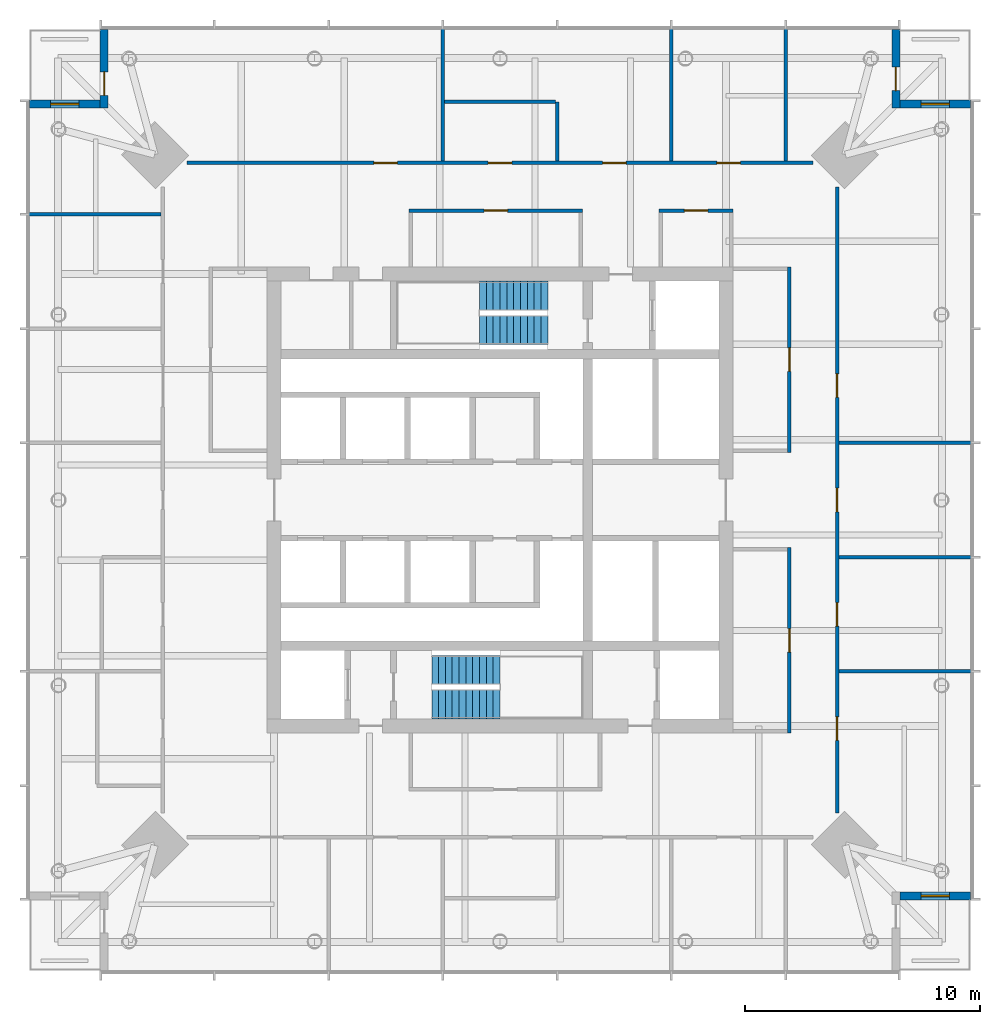
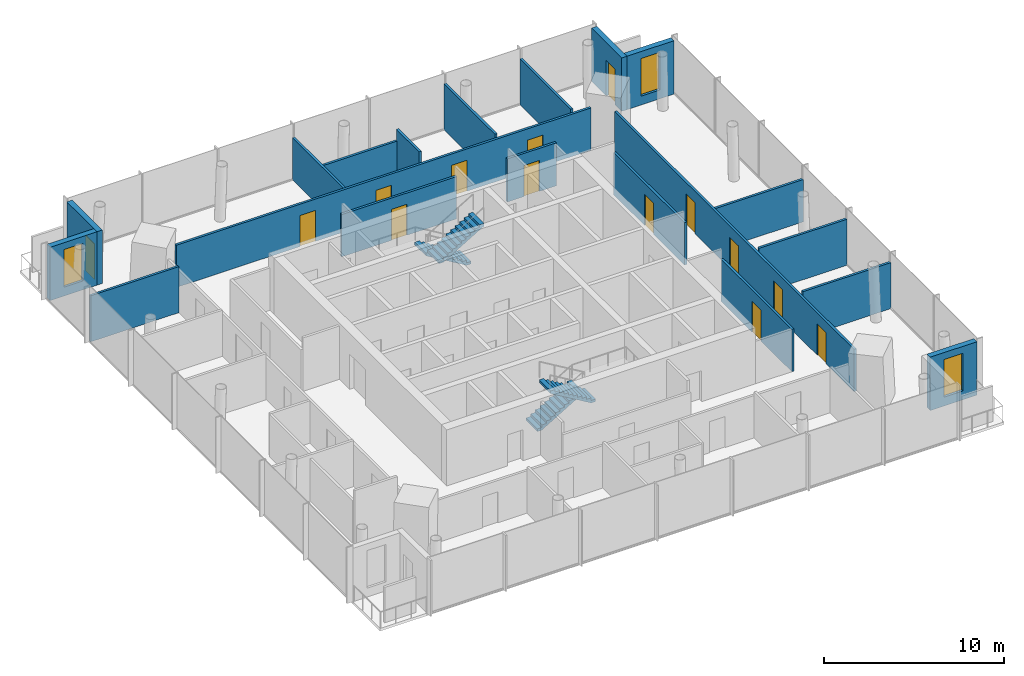
# One storey, part 6 of 7: 20 walls, 14 doors, 4 stair flights, 3 windows, 17 openings, 2 elements without a shape of their own.
"""IFC4 building model written with IfcOpenShell, lengths in metres."""

from ifc_helpers import new_model, si_unit, direction, frame, frame_2d, origin, place, context, subcontext, project, spatial, polyline, rectangle, outline, extrude, material, layer, layer_set, type_object, element, fill, aggregate, save


model = new_model("IFC4")

# Units and contexts
model_context = context("Model", 3, precision=1e-05, world=origin(), true_north=direction((0.0, 1.0)))
body_context = subcontext(model_context, "Body", "Model", "MODEL_VIEW")
ifc_project = project(units=[si_unit("LENGTHUNIT", "METRE"), si_unit("AREAUNIT", "SQUARE_METRE"), si_unit("VOLUMEUNIT", "CUBIC_METRE"), si_unit("PLANEANGLEUNIT", "RADIAN"), si_unit("MASSUNIT", "GRAM", prefix="KILO")], contexts=[model_context])

# Site, building, storey
site_placement = place(None, origin())
site = spatial("IfcSite", under=ifc_project, at=site_placement, CompositionType="ELEMENT")
building_placement = place(site_placement, origin())
building = spatial("IfcBuilding", under=site, at=building_placement, Name="Ostroluk Exchange", CompositionType="ELEMENT")
storey_placement = place(building_placement, frame((0.0, 0.0, 184.39990234375)))
storey = spatial("IfcBuildingStorey", under=building, at=storey_placement, Name="L47", CompositionType="ELEMENT", Elevation=184.39990234375)

# Wall, opening, window
ifc_material_1 = material(Name="Limestone", Category="masonry")
ifc_layer_1 = layer(ifc_material_1, 0.35009765625)
ifc_layer_set_1 = layer_set([ifc_layer_1], Name="Limestone facade wall 350")
wall_type_1 = type_object("IfcWallType", Name="Limestone facade wall 350", PredefinedType="SOLIDWALL", material=ifc_layer_set_1)
wall_1_placement = place(storey_placement, frame((62.0, 29.175048828125, 0.0), z_axis=(0.0, 0.0, 1.0), x_axis=(1.0, 0.0, 0.0)))
wall_1 = element("IfcWall", 1, at=wall_1_placement, inside=storey, type_object=wall_type_1, Name="Office tower SE corner wall L47 b", PredefinedType="SOLIDWALL", context=body_context, shape_type="SweptSolid", body=[
    extrude(rectangle(XDim=3.0, YDim=0.35009765625, at=frame_2d((1.5, 0.0))), origin(), (0.0, 0.0, 1.0), 3.6201171875),
])
opening_1_placement = place(wall_1_placement, frame((0.89990234375, 0.0, 0.60009765625)))
opening_1 = element("IfcOpeningElement", 2, at=opening_1_placement, cuts=wall_1, Name="Opening WN-L1", PredefinedType="OPENING", context=body_context, shape_type="SweptSolid", body=[
    extrude(rectangle(XDim=1.199951171875, YDim=2.550048828125, at=frame_2d((0.60009765625, 1.27490234375))), frame((0.0, 0.18505859375, 0.0), z_axis=(0.0, -1.0, 0.0), x_axis=(1.0, 0.0, 0.0)), (0.0, 0.0, 1.0), 0.3701171875),
])
ifc_material_2 = material(Name="Laminated clear glass", Category="glass")
window_type = type_object("IfcWindowType", Name="Lancet window 1200 x 2550", PartitioningType="SINGLE_PANEL", PredefinedType="WINDOW", material=ifc_material_2)
window_1_placement = place(opening_1_placement, origin())
window_1 = element("IfcWindow", 3, at=window_1_placement, inside=storey, type_object=window_type, Name="Office tower SE lancet window L47", OverallHeight=2.550048828125, OverallWidth=1.199951171875, PartitioningType="SINGLE_PANEL", PredefinedType="WINDOW", context=body_context, shape_type="SweptSolid", body=[
    extrude(rectangle(XDim=1.199951171875, YDim=2.550048828125, at=frame_2d((0.60009765625, 1.27490234375))), frame((0.0, 0.030029296875, 0.0), z_axis=(0.0, -1.0, 0.0), x_axis=(1.0, 0.0, 0.0)), (0.0, 0.0, 1.0), 0.06005859375),
])
fill(opening_1, window_1)

# Wall, opening, door
wall_2_placement = place(storey_placement, frame((61.824951171875, 66.0, 0.0), z_axis=(0.0, 0.0, 1.0), x_axis=(0.0, -1.0, 0.0)))
wall_2 = element("IfcWall", 4, at=wall_2_placement, inside=storey, type_object=wall_type_1, Name="Office tower NE corner wall L47 a", PredefinedType="SOLIDWALL", context=body_context, shape_type="SweptSolid", body=[
    extrude(rectangle(XDim=3.35009765625, YDim=0.35009765625, at=frame_2d((1.675048828125, 0.0))), origin(), (0.0, 0.0, 1.0), 3.6201171875),
])
opening_2_placement = place(wall_2_placement, frame((1.60009765625, 0.0, 0.0)))
opening_2 = element("IfcOpeningElement", 5, at=opening_2_placement, cuts=wall_2, Name="Opening D-B1", PredefinedType="OPENING", context=body_context, shape_type="SweptSolid", body=[
    extrude(rectangle(XDim=1.0, YDim=2.39990234375, at=frame_2d((0.5, 1.199951171875))), frame((0.0, 0.18505859375, 0.0), z_axis=(0.0, -1.0, 0.0), x_axis=(1.0, 0.0, 0.0)), (0.0, 0.0, 1.0), 0.3701171875),
])
ifc_material_3 = material(Name="Bronze framed glazed door", Category="aluminium")
door_type_1 = type_object("IfcDoorType", Name="Balcony door 1000 x 2400", OperationType="SINGLE_SWING_LEFT", PredefinedType="DOOR", material=ifc_material_3)
door_1_placement = place(opening_2_placement, origin())
door_1 = element("IfcDoor", 6, at=door_1_placement, inside=storey, type_object=door_type_1, Name="Office tower NE balcony door L47", OperationType="SINGLE_SWING_RIGHT", OverallHeight=2.39990234375, OverallWidth=1.0, PredefinedType="DOOR", context=body_context, shape_type="SweptSolid", body=[
    extrude(rectangle(XDim=1.0, YDim=2.39990234375, at=frame_2d((0.5, 1.199951171875))), frame((0.0, 0.02490234375, 0.0), z_axis=(0.0, -1.0, 0.0), x_axis=(1.0, 0.0, 0.0)), (0.0, 0.0, 1.0), 0.050048828125),
])
fill(opening_2, door_1)

# Wall, opening, window
wall_3_placement = place(storey_placement, frame((62.0, 62.824951171875, 0.0), z_axis=(0.0, 0.0, 1.0), x_axis=(1.0, 0.0, 0.0)))
wall_3 = element("IfcWall", 7, at=wall_3_placement, inside=storey, type_object=wall_type_1, Name="Office tower NE corner wall L47 b", PredefinedType="SOLIDWALL", context=body_context, shape_type="SweptSolid", body=[
    extrude(rectangle(XDim=3.0, YDim=0.35009765625, at=frame_2d((1.5, 0.0))), origin(), (0.0, 0.0, 1.0), 3.6201171875),
])
opening_3_placement = place(wall_3_placement, frame((0.89990234375, 0.0, 0.60009765625)))
opening_3 = element("IfcOpeningElement", 8, at=opening_3_placement, cuts=wall_3, Name="Opening WN-L1", PredefinedType="OPENING", context=body_context, shape_type="SweptSolid", body=[
    extrude(rectangle(XDim=1.199951171875, YDim=2.550048828125, at=frame_2d((0.60009765625, 1.27490234375))), frame((0.0, 0.18505859375, 0.0), z_axis=(0.0, -1.0, 0.0), x_axis=(1.0, 0.0, 0.0)), (0.0, 0.0, 1.0), 0.3701171875),
])
window_2_placement = place(opening_3_placement, origin())
window_2 = element("IfcWindow", 9, at=window_2_placement, inside=storey, type_object=window_type, Name="Office tower NE lancet window L47", OverallHeight=2.550048828125, OverallWidth=1.199951171875, PartitioningType="SINGLE_PANEL", PredefinedType="WINDOW", context=body_context, shape_type="SweptSolid", body=[
    extrude(rectangle(XDim=1.199951171875, YDim=2.550048828125, at=frame_2d((0.60009765625, 1.27490234375))), frame((0.0, 0.030029296875, 0.0), z_axis=(0.0, -1.0, 0.0), x_axis=(1.0, 0.0, 0.0)), (0.0, 0.0, 1.0), 0.06005859375),
])
fill(opening_3, window_2)

# Wall, opening, door
wall_4_placement = place(storey_placement, frame((28.175048828125, 66.0, 0.0), z_axis=(0.0, 0.0, 1.0), x_axis=(0.0, -1.0, 0.0)))
wall_4 = element("IfcWall", 10, at=wall_4_placement, inside=storey, type_object=wall_type_1, Name="Office tower NW corner wall L47 a", PredefinedType="SOLIDWALL", context=body_context, shape_type="SweptSolid", body=[
    extrude(rectangle(XDim=3.35009765625, YDim=0.35009765625, at=frame_2d((1.675048828125, 0.0))), origin(), (0.0, 0.0, 1.0), 3.6201171875),
])
opening_4_placement = place(wall_4_placement, frame((1.800048828125, 0.0, 0.0)))
opening_4 = element("IfcOpeningElement", 11, at=opening_4_placement, cuts=wall_4, Name="Opening D-B1", PredefinedType="OPENING", context=body_context, shape_type="SweptSolid", body=[
    extrude(rectangle(XDim=1.0, YDim=2.39990234375, at=frame_2d((0.5, 1.199951171875))), frame((0.0, 0.18505859375, 0.0), z_axis=(0.0, -1.0, 0.0), x_axis=(1.0, 0.0, 0.0)), (0.0, 0.0, 1.0), 0.3701171875),
])
door_2_placement = place(opening_4_placement, origin())
door_2 = element("IfcDoor", 12, at=door_2_placement, inside=storey, type_object=door_type_1, Name="Office tower NW balcony door L47", OperationType="SINGLE_SWING_RIGHT", OverallHeight=2.39990234375, OverallWidth=1.0, PredefinedType="DOOR", context=body_context, shape_type="SweptSolid", body=[
    extrude(rectangle(XDim=1.0, YDim=2.39990234375, at=frame_2d((0.5, 1.199951171875))), frame((0.0, 0.02490234375, 0.0), z_axis=(0.0, -1.0, 0.0), x_axis=(1.0, 0.0, 0.0)), (0.0, 0.0, 1.0), 0.050048828125),
])
fill(opening_4, door_2)

# Wall, opening, window
wall_5_placement = place(storey_placement, frame((28.0, 62.824951171875, 0.0), z_axis=(0.0, 0.0, 1.0), x_axis=(-1.0, 0.0, 0.0)))
wall_5 = element("IfcWall", 13, at=wall_5_placement, inside=storey, type_object=wall_type_1, Name="Office tower NW corner wall L47 b", PredefinedType="SOLIDWALL", context=body_context, shape_type="SweptSolid", body=[
    extrude(rectangle(XDim=3.0, YDim=0.35009765625, at=frame_2d((1.5, 0.0))), origin(), (0.0, 0.0, 1.0), 3.6201171875),
])
opening_5_placement = place(wall_5_placement, frame((0.89990234375, 0.0, 0.60009765625)))
opening_5 = element("IfcOpeningElement", 14, at=opening_5_placement, cuts=wall_5, Name="Opening WN-L1", PredefinedType="OPENING", context=body_context, shape_type="SweptSolid", body=[
    extrude(rectangle(XDim=1.199951171875, YDim=2.550048828125, at=frame_2d((0.60009765625, 1.27490234375))), frame((0.0, 0.18505859375, 0.0), z_axis=(0.0, -1.0, 0.0), x_axis=(1.0, 0.0, 0.0)), (0.0, 0.0, 1.0), 0.3701171875),
])
window_3_placement = place(opening_5_placement, origin())
window_3 = element("IfcWindow", 15, at=window_3_placement, inside=storey, type_object=window_type, Name="Office tower NW lancet window L47", OverallHeight=2.550048828125, OverallWidth=1.199951171875, PartitioningType="SINGLE_PANEL", PredefinedType="WINDOW", context=body_context, shape_type="SweptSolid", body=[
    extrude(rectangle(XDim=1.199951171875, YDim=2.550048828125, at=frame_2d((0.60009765625, 1.27490234375))), frame((0.0, 0.030029296875, 0.0), z_axis=(0.0, -1.0, 0.0), x_axis=(1.0, 0.0, 0.0)), (0.0, 0.0, 1.0), 0.06005859375),
])
fill(opening_5, window_3)

# Wall, opening, door
ifc_material_4 = material(Name="Gypsum plasterboard partition", Category="gypsum")
ifc_layer_2 = layer(ifc_material_4, 0.14990234375)
ifc_layer_set_2 = layer_set([ifc_layer_2], Name="Plasterboard partition 150")
wall_type_2 = type_object("IfcWallType", Name="Plasterboard partition 150", PredefinedType="PARTITIONING", material=ifc_layer_set_2)
wall_6_placement = place(storey_placement, frame((57.300048828125, 36.10009765625, 0.0), z_axis=(0.0, 0.0, 1.0), x_axis=(0.0, 1.0, 0.0)))
wall_6 = element("IfcWall", 16, at=wall_6_placement, inside=storey, type_object=wall_type_2, Name="Partition", PredefinedType="PARTITIONING", context=body_context, shape_type="SweptSolid", body=[
    extrude(rectangle(XDim=7.875, YDim=0.14990234375, at=frame_2d((3.9375, 0.0))), origin(), (0.0, 0.0, 1.0), 2.8671875),
])
opening_6_placement = place(wall_6_placement, frame((3.4375, 0.0, 0.0)))
opening_6 = element("IfcOpeningElement", 17, at=opening_6_placement, cuts=wall_6, Name="Opening D-03", PredefinedType="OPENING", context=body_context, shape_type="SweptSolid", body=[
    extrude(rectangle(XDim=1.0, YDim=2.10009765625, at=frame_2d((0.5, 1.050048828125))), frame((0.0, 0.0849609375, 0.0), z_axis=(0.0, -1.0, 0.0), x_axis=(1.0, 0.0, 0.0)), (0.0, 0.0, 1.0), 0.169921875),
])
ifc_material_5 = material(Name="Timber", Category="wood")
door_type_2 = type_object("IfcDoorType", Name="Internal door 1000 x 2100", OperationType="SINGLE_SWING_LEFT", PredefinedType="DOOR", material=ifc_material_5)
door_3_placement = place(opening_6_placement, origin())
door_3 = element("IfcDoor", 18, at=door_3_placement, inside=storey, type_object=door_type_2, Name="Tea point door", OperationType="SINGLE_SWING_LEFT", OverallHeight=2.10009765625, OverallWidth=1.0, PredefinedType="DOOR", context=body_context, shape_type="SweptSolid", body=[
    extrude(rectangle(XDim=1.0, YDim=2.10009765625, at=frame_2d((0.5, 1.050048828125))), frame((0.0, 0.02490234375, 0.0), z_axis=(0.0, -1.0, 0.0), x_axis=(1.0, 0.0, 0.0)), (0.0, 0.0, 1.0), 0.050048828125),
])
fill(opening_6, door_3)

wall_7_placement = place(storey_placement, frame((57.300048828125, 48.02490234375, 0.0), z_axis=(0.0, 0.0, 1.0), x_axis=(0.0, 1.0, 0.0)))
wall_7 = element("IfcWall", 19, at=wall_7_placement, inside=storey, type_object=wall_type_2, Name="Partition", PredefinedType="PARTITIONING", context=body_context, shape_type="SweptSolid", body=[
    extrude(rectangle(XDim=7.875, YDim=0.14990234375, at=frame_2d((3.9375, 0.0))), origin(), (0.0, 0.0, 1.0), 2.8671875),
])
opening_7_placement = place(wall_7_placement, frame((3.4375, 0.0, 0.0)))
opening_7 = element("IfcOpeningElement", 20, at=opening_7_placement, cuts=wall_7, Name="Opening D-03", PredefinedType="OPENING", context=body_context, shape_type="SweptSolid", body=[
    extrude(rectangle(XDim=1.0, YDim=2.10009765625, at=frame_2d((0.5, 1.050048828125))), frame((0.0, 0.0849609375, 0.0), z_axis=(0.0, -1.0, 0.0), x_axis=(1.0, 0.0, 0.0)), (0.0, 0.0, 1.0), 0.169921875),
])
door_4_placement = place(opening_7_placement, origin())
door_4 = element("IfcDoor", 21, at=door_4_placement, inside=storey, type_object=door_type_2, Name="Tea point door", OperationType="SINGLE_SWING_LEFT", OverallHeight=2.10009765625, OverallWidth=1.0, PredefinedType="DOOR", context=body_context, shape_type="SweptSolid", body=[
    extrude(rectangle(XDim=1.0, YDim=2.10009765625, at=frame_2d((0.5, 1.050048828125))), frame((0.0, 0.02490234375, 0.0), z_axis=(0.0, -1.0, 0.0), x_axis=(1.0, 0.0, 0.0)), (0.0, 0.0, 1.0), 0.050048828125),
])
fill(opening_7, door_4)

wall_8_placement = place(storey_placement, frame((54.89990234375, 58.300048828125, 0.0), z_axis=(0.0, 0.0, 1.0), x_axis=(-1.0, 0.0, 0.0)))
wall_8 = element("IfcWall", 22, at=wall_8_placement, inside=storey, type_object=wall_type_2, Name="Partition", PredefinedType="PARTITIONING", context=body_context, shape_type="SweptSolid", body=[
    extrude(rectangle(XDim=3.135009765625, YDim=0.14990234375, at=frame_2d((1.5673828125, 0.0))), origin(), (0.0, 0.0, 1.0), 2.920166015625),
])
opening_8_placement = place(wall_8_placement, frame((1.0673828125, 0.0, 0.0)))
opening_8 = element("IfcOpeningElement", 23, at=opening_8_placement, cuts=wall_8, Name="Opening D-03", PredefinedType="OPENING", context=body_context, shape_type="SweptSolid", body=[
    extrude(rectangle(XDim=1.0, YDim=2.10009765625, at=frame_2d((0.5, 1.050048828125))), frame((0.0, 0.0849609375, 0.0), z_axis=(0.0, -1.0, 0.0), x_axis=(1.0, 0.0, 0.0)), (0.0, 0.0, 1.0), 0.169921875),
])
door_5_placement = place(opening_8_placement, origin())
door_5 = element("IfcDoor", 24, at=door_5_placement, inside=storey, type_object=door_type_2, Name="Tea point door", OperationType="SINGLE_SWING_RIGHT", OverallHeight=2.10009765625, OverallWidth=1.0, PredefinedType="DOOR", context=body_context, shape_type="SweptSolid", body=[
    extrude(rectangle(XDim=1.0, YDim=2.10009765625, at=frame_2d((0.5, 1.050048828125))), frame((0.0, 0.02490234375, 0.0), z_axis=(0.0, -1.0, 0.0), x_axis=(1.0, 0.0, 0.0)), (0.0, 0.0, 1.0), 0.050048828125),
])
fill(opening_8, door_5)

wall_9_placement = place(storey_placement, frame((48.514892578125, 58.300048828125, 0.0), z_axis=(0.0, 0.0, 1.0), x_axis=(-1.0, 0.0, 0.0)))
wall_9 = element("IfcWall", 25, at=wall_9_placement, inside=storey, type_object=wall_type_2, Name="Partition", PredefinedType="PARTITIONING", context=body_context, shape_type="SweptSolid", body=[
    extrude(rectangle(XDim=7.376953125, YDim=0.14990234375, at=frame_2d((3.6884765625, 0.0))), origin(), (0.0, 0.0, 1.0), 2.8671875),
])
opening_9_placement = place(wall_9_placement, frame((3.1884765625, 0.0, 0.0)))
opening_9 = element("IfcOpeningElement", 26, at=opening_9_placement, cuts=wall_9, Name="Opening D-03", PredefinedType="OPENING", context=body_context, shape_type="SweptSolid", body=[
    extrude(rectangle(XDim=1.0, YDim=2.10009765625, at=frame_2d((0.5, 1.050048828125))), frame((0.0, 0.0849609375, 0.0), z_axis=(0.0, -1.0, 0.0), x_axis=(1.0, 0.0, 0.0)), (0.0, 0.0, 1.0), 0.169921875),
])
door_6_placement = place(opening_9_placement, origin())
door_6 = element("IfcDoor", 27, at=door_6_placement, inside=storey, type_object=door_type_2, Name="Tea point door", OperationType="SINGLE_SWING_LEFT", OverallHeight=2.10009765625, OverallWidth=1.0, PredefinedType="DOOR", context=body_context, shape_type="SweptSolid", body=[
    extrude(rectangle(XDim=1.0, YDim=2.10009765625, at=frame_2d((0.5, 1.050048828125))), frame((0.0, 0.02490234375, 0.0), z_axis=(0.0, -1.0, 0.0), x_axis=(1.0, 0.0, 0.0)), (0.0, 0.0, 1.0), 0.050048828125),
])
fill(opening_9, door_6)

# Wall, openings, doors
wall_10_placement = place(storey_placement, frame((59.324951171875, 32.699951171875, 0.0), z_axis=(0.0, 0.0, 1.0), x_axis=(0.0, 1.0, 0.0)))
wall_10 = element("IfcWall", 28, at=wall_10_placement, inside=storey, type_object=wall_type_2, Name="Partition", PredefinedType="PARTITIONING", context=body_context, shape_type="SweptSolid", body=[
    extrude(rectangle(XDim=26.60009765625, YDim=0.14990234375, at=frame_2d((13.300048828125, 0.0))), origin(), (0.0, 0.0, 1.0), 2.8671875),
])
opening_10_placement = place(wall_10_placement, frame((3.085693359375, 0.0, 0.0)))
opening_10 = element("IfcOpeningElement", 29, at=opening_10_placement, cuts=wall_10, Name="Opening D-03", PredefinedType="OPENING", context=body_context, shape_type="SweptSolid", body=[
    extrude(rectangle(XDim=1.0, YDim=2.10009765625, at=frame_2d((0.5, 1.050048828125))), frame((0.0, 0.0849609375, 0.0), z_axis=(0.0, -1.0, 0.0), x_axis=(1.0, 0.0, 0.0)), (0.0, 0.0, 1.0), 0.169921875),
])
opening_11_placement = place(wall_10_placement, frame((7.94287109375, 0.0, 0.0)))
opening_11 = element("IfcOpeningElement", 30, at=opening_11_placement, cuts=wall_10, Name="Opening D-03", PredefinedType="OPENING", context=body_context, shape_type="SweptSolid", body=[
    extrude(rectangle(XDim=1.0, YDim=2.10009765625, at=frame_2d((0.5, 1.050048828125))), frame((0.0, 0.0849609375, 0.0), z_axis=(0.0, -1.0, 0.0), x_axis=(1.0, 0.0, 0.0)), (0.0, 0.0, 1.0), 0.169921875),
])
opening_12_placement = place(wall_10_placement, frame((12.800048828125, 0.0, 0.0)))
opening_12 = element("IfcOpeningElement", 31, at=opening_12_placement, cuts=wall_10, Name="Opening D-03", PredefinedType="OPENING", context=body_context, shape_type="SweptSolid", body=[
    extrude(rectangle(XDim=1.0, YDim=2.10009765625, at=frame_2d((0.5, 1.050048828125))), frame((0.0, 0.0849609375, 0.0), z_axis=(0.0, -1.0, 0.0), x_axis=(1.0, 0.0, 0.0)), (0.0, 0.0, 1.0), 0.169921875),
])
opening_13_placement = place(wall_10_placement, frame((17.6572265625, 0.0, 0.0)))
opening_13 = element("IfcOpeningElement", 32, at=opening_13_placement, cuts=wall_10, Name="Opening D-03", PredefinedType="OPENING", context=body_context, shape_type="SweptSolid", body=[
    extrude(rectangle(XDim=1.0, YDim=2.10009765625, at=frame_2d((0.5, 1.050048828125))), frame((0.0, 0.0849609375, 0.0), z_axis=(0.0, -1.0, 0.0), x_axis=(1.0, 0.0, 0.0)), (0.0, 0.0, 1.0), 0.169921875),
])
door_7_placement = place(opening_10_placement, origin())
door_7 = element("IfcDoor", 33, at=door_7_placement, inside=storey, type_object=door_type_2, Name="Office suite door", OperationType="SINGLE_SWING_LEFT", OverallHeight=2.10009765625, OverallWidth=1.0, PredefinedType="DOOR", context=body_context, shape_type="SweptSolid", body=[
    extrude(rectangle(XDim=1.0, YDim=2.10009765625, at=frame_2d((0.5, 1.050048828125))), frame((0.0, 0.02490234375, 0.0), z_axis=(0.0, -1.0, 0.0), x_axis=(1.0, 0.0, 0.0)), (0.0, 0.0, 1.0), 0.050048828125),
])
fill(opening_10, door_7)
door_8_placement = place(opening_11_placement, origin())
door_8 = element("IfcDoor", 34, at=door_8_placement, inside=storey, type_object=door_type_2, Name="Office door", OperationType="SINGLE_SWING_LEFT", OverallHeight=2.10009765625, OverallWidth=1.0, PredefinedType="DOOR", context=body_context, shape_type="SweptSolid", body=[
    extrude(rectangle(XDim=1.0, YDim=2.10009765625, at=frame_2d((0.5, 1.050048828125))), frame((0.0, 0.02490234375, 0.0), z_axis=(0.0, -1.0, 0.0), x_axis=(1.0, 0.0, 0.0)), (0.0, 0.0, 1.0), 0.050048828125),
])
fill(opening_11, door_8)
door_9_placement = place(opening_12_placement, origin())
door_9 = element("IfcDoor", 35, at=door_9_placement, inside=storey, type_object=door_type_2, Name="Meeting room door", OperationType="SINGLE_SWING_LEFT", OverallHeight=2.10009765625, OverallWidth=1.0, PredefinedType="DOOR", context=body_context, shape_type="SweptSolid", body=[
    extrude(rectangle(XDim=1.0, YDim=2.10009765625, at=frame_2d((0.5, 1.050048828125))), frame((0.0, 0.02490234375, 0.0), z_axis=(0.0, -1.0, 0.0), x_axis=(1.0, 0.0, 0.0)), (0.0, 0.0, 1.0), 0.050048828125),
])
fill(opening_12, door_9)
door_10_placement = place(opening_13_placement, origin())
door_10 = element("IfcDoor", 36, at=door_10_placement, inside=storey, type_object=door_type_2, Name="Office door", OperationType="SINGLE_SWING_RIGHT", OverallHeight=2.10009765625, OverallWidth=1.0, PredefinedType="DOOR", context=body_context, shape_type="SweptSolid", body=[
    extrude(rectangle(XDim=1.0, YDim=2.10009765625, at=frame_2d((0.5, 1.050048828125))), frame((0.0, 0.02490234375, 0.0), z_axis=(0.0, -1.0, 0.0), x_axis=(1.0, 0.0, 0.0)), (0.0, 0.0, 1.0), 0.050048828125),
])
fill(opening_13, door_10)

# Walls
for number, where, z_axis, x_axis, name in (
    (37, (59.39990234375, 38.71435546875, 0.0), (0.0, 0.0, 1.0), (1.0, 0.0, 0.0), "Partition"),
    (38, (59.39990234375, 43.571533203125, 0.0), (0.0, 0.0, 1.0), (1.0, 0.0, 0.0), "Partition"),
):
    element("IfcWall", number, at=place(storey_placement, frame(where, z_axis=z_axis, x_axis=x_axis)), inside=storey, type_object=wall_type_2, Name=name, PredefinedType="PARTITIONING", context=body_context, shape_type="SweptSolid", body=[
        extrude(rectangle(XDim=5.64013671875, YDim=0.14990234375, at=frame_2d((2.820068359375, 0.0))), origin(), (0.0, 0.0, 1.0), 3.1201171875),
    ])
wall_11_placement = place(storey_placement, frame((59.39990234375, 48.428466796875, 0.0), z_axis=(0.0, 0.0, 1.0), x_axis=(1.0, 0.0, 0.0)))
element("IfcWall", 39, at=wall_11_placement, inside=storey, type_object=wall_type_2, Name="Partition", PredefinedType="PARTITIONING", context=body_context, shape_type="SweptSolid", body=[
    extrude(rectangle(XDim=5.64013671875, YDim=0.14990234375, at=frame_2d((2.820068359375, 0.0))), origin(), (0.0, 0.0, 1.0), 2.8671875),
])
wall_12_placement = place(storey_placement, frame((47.353515625, 62.925048828125, 0.0), z_axis=(0.0, 0.0, 1.0), x_axis=(-1.0, 0.0, 0.0)))
element("IfcWall", 40, at=wall_12_placement, inside=storey, type_object=wall_type_2, Name="Partition", PredefinedType="PARTITIONING", context=body_context, shape_type="SweptSolid", body=[
    extrude(rectangle(XDim=4.70703125, YDim=0.14990234375, at=frame_2d((2.353515625, 0.0))), origin(), (0.0, 0.0, 1.0), 2.8671875),
])

# Wall, openings, doors
wall_13_placement = place(storey_placement, frame((58.300048828125, 60.324951171875, 0.0), z_axis=(0.0, 0.0, 1.0), x_axis=(-1.0, 0.0, 0.0)))
wall_13 = element("IfcWall", 41, at=wall_13_placement, inside=storey, type_object=wall_type_2, Name="Partition", PredefinedType="PARTITIONING", context=body_context, shape_type="SweptSolid", body=[
    extrude(rectangle(XDim=26.60009765625, YDim=0.14990234375, at=frame_2d((13.300048828125, 0.0))), origin(), (0.0, 0.0, 1.0), 2.8671875),
])
opening_14_placement = place(wall_13_placement, frame((3.085693359375, 0.0, 0.0)))
opening_14 = element("IfcOpeningElement", 42, at=opening_14_placement, cuts=wall_13, Name="Opening D-03", PredefinedType="OPENING", context=body_context, shape_type="SweptSolid", body=[
    extrude(rectangle(XDim=1.0, YDim=2.10009765625, at=frame_2d((0.5, 1.050048828125))), frame((0.0, 0.0849609375, 0.0), z_axis=(0.0, -1.0, 0.0), x_axis=(1.0, 0.0, 0.0)), (0.0, 0.0, 1.0), 0.169921875),
])
opening_15_placement = place(wall_13_placement, frame((7.94287109375, 0.0, 0.0)))
opening_15 = element("IfcOpeningElement", 43, at=opening_15_placement, cuts=wall_13, Name="Opening D-03", PredefinedType="OPENING", context=body_context, shape_type="SweptSolid", body=[
    extrude(rectangle(XDim=1.0, YDim=2.10009765625, at=frame_2d((0.5, 1.050048828125))), frame((0.0, 0.0849609375, 0.0), z_axis=(0.0, -1.0, 0.0), x_axis=(1.0, 0.0, 0.0)), (0.0, 0.0, 1.0), 0.169921875),
])
opening_16_placement = place(wall_13_placement, frame((12.800048828125, 0.0, 0.0)))
opening_16 = element("IfcOpeningElement", 44, at=opening_16_placement, cuts=wall_13, Name="Opening D-03", PredefinedType="OPENING", context=body_context, shape_type="SweptSolid", body=[
    extrude(rectangle(XDim=1.0, YDim=2.10009765625, at=frame_2d((0.5, 1.050048828125))), frame((0.0, 0.0849609375, 0.0), z_axis=(0.0, -1.0, 0.0), x_axis=(1.0, 0.0, 0.0)), (0.0, 0.0, 1.0), 0.169921875),
])
opening_17_placement = place(wall_13_placement, frame((17.6572265625, 0.0, 0.0)))
opening_17 = element("IfcOpeningElement", 45, at=opening_17_placement, cuts=wall_13, Name="Opening D-03", PredefinedType="OPENING", context=body_context, shape_type="SweptSolid", body=[
    extrude(rectangle(XDim=1.0, YDim=2.10009765625, at=frame_2d((0.5, 1.050048828125))), frame((0.0, 0.0849609375, 0.0), z_axis=(0.0, -1.0, 0.0), x_axis=(1.0, 0.0, 0.0)), (0.0, 0.0, 1.0), 0.169921875),
])
door_11_placement = place(opening_14_placement, origin())
door_11 = element("IfcDoor", 46, at=door_11_placement, inside=storey, type_object=door_type_2, Name="Office door", OperationType="SINGLE_SWING_LEFT", OverallHeight=2.10009765625, OverallWidth=1.0, PredefinedType="DOOR", context=body_context, shape_type="SweptSolid", body=[
    extrude(rectangle(XDim=1.0, YDim=2.10009765625, at=frame_2d((0.5, 1.050048828125))), frame((0.0, 0.02490234375, 0.0), z_axis=(0.0, -1.0, 0.0), x_axis=(1.0, 0.0, 0.0)), (0.0, 0.0, 1.0), 0.050048828125),
])
fill(opening_14, door_11)
door_12_placement = place(opening_15_placement, origin())
door_12 = element("IfcDoor", 47, at=door_12_placement, inside=storey, type_object=door_type_2, Name="Office door", OperationType="SINGLE_SWING_LEFT", OverallHeight=2.10009765625, OverallWidth=1.0, PredefinedType="DOOR", context=body_context, shape_type="SweptSolid", body=[
    extrude(rectangle(XDim=1.0, YDim=2.10009765625, at=frame_2d((0.5, 1.050048828125))), frame((0.0, 0.02490234375, 0.0), z_axis=(0.0, -1.0, 0.0), x_axis=(1.0, 0.0, 0.0)), (0.0, 0.0, 1.0), 0.050048828125),
])
fill(opening_15, door_12)
door_13_placement = place(opening_16_placement, origin())
door_13 = element("IfcDoor", 48, at=door_13_placement, inside=storey, type_object=door_type_2, Name="Pantry door", OperationType="SINGLE_SWING_LEFT", OverallHeight=2.10009765625, OverallWidth=1.0, PredefinedType="DOOR", context=body_context, shape_type="SweptSolid", body=[
    extrude(rectangle(XDim=1.0, YDim=2.10009765625, at=frame_2d((0.5, 1.050048828125))), frame((0.0, 0.02490234375, 0.0), z_axis=(0.0, -1.0, 0.0), x_axis=(1.0, 0.0, 0.0)), (0.0, 0.0, 1.0), 0.050048828125),
])
fill(opening_16, door_13)
door_14_placement = place(opening_17_placement, origin())
door_14 = element("IfcDoor", 49, at=door_14_placement, inside=storey, type_object=door_type_2, Name="Office door", OperationType="SINGLE_SWING_RIGHT", OverallHeight=2.10009765625, OverallWidth=1.0, PredefinedType="DOOR", context=body_context, shape_type="SweptSolid", body=[
    extrude(rectangle(XDim=1.0, YDim=2.10009765625, at=frame_2d((0.5, 1.050048828125))), frame((0.0, 0.02490234375, 0.0), z_axis=(0.0, -1.0, 0.0), x_axis=(1.0, 0.0, 0.0)), (0.0, 0.0, 1.0), 0.050048828125),
])
fill(opening_17, door_14)

# Walls
for number, where, z_axis, x_axis, name in (
    (50, (57.142822265625, 60.39990234375, 0.0), (0.0, 0.0, 1.0), (0.0, 1.0, 0.0), "Partition"),
    (51, (52.28564453125, 60.39990234375, 0.0), (0.0, 0.0, 1.0), (0.0, 1.0, 0.0), "Partition"),
):
    element("IfcWall", number, at=place(storey_placement, frame(where, z_axis=z_axis, x_axis=x_axis)), inside=storey, type_object=wall_type_2, Name=name, PredefinedType="PARTITIONING", context=body_context, shape_type="SweptSolid", body=[
        extrude(rectangle(XDim=5.64013671875, YDim=0.14990234375, at=frame_2d((2.820068359375, 0.0))), origin(), (0.0, 0.0, 1.0), 3.1201171875),
    ])
wall_14_placement = place(storey_placement, frame((47.428466796875, 60.39990234375, 0.0), z_axis=(0.0, 0.0, 1.0), x_axis=(0.0, 1.0, 0.0)))
element("IfcWall", 52, at=wall_14_placement, inside=storey, type_object=wall_type_2, Name="Partition", PredefinedType="PARTITIONING", context=body_context, shape_type="SweptSolid", body=[
    extrude(rectangle(XDim=2.525146484375, YDim=0.14990234375, at=frame_2d((1.2626953125, 0.0))), origin(), (0.0, 0.0, 1.0), 3.6201171875),
])
wall_15_placement = place(storey_placement, frame((42.571533203125, 60.39990234375, 0.0), z_axis=(0.0, 0.0, 1.0), x_axis=(0.0, 1.0, 0.0)))
element("IfcWall", 53, at=wall_15_placement, inside=storey, type_object=wall_type_2, Name="Partition", PredefinedType="PARTITIONING", context=body_context, shape_type="SweptSolid", body=[
    extrude(rectangle(XDim=5.64013671875, YDim=0.14990234375, at=frame_2d((2.820068359375, 0.0))), origin(), (0.0, 0.0, 1.0), 2.8671875),
])
wall_16_placement = place(storey_placement, frame((30.60009765625, 58.142822265625, 0.0), z_axis=(0.0, 0.0, 1.0), x_axis=(-1.0, 0.0, 0.0)))
element("IfcWall", 54, at=wall_16_placement, inside=storey, type_object=wall_type_2, Name="Partition", PredefinedType="PARTITIONING", context=body_context, shape_type="SweptSolid", body=[
    extrude(rectangle(XDim=5.64013671875, YDim=0.14990234375, at=frame_2d((2.820068359375, 0.0))), origin(), (0.0, 0.0, 1.0), 3.1201171875),
])

# Stair, stair flights
ifc_material_6 = material(Name="Concrete C30/37", Category="concrete")
stair_type = type_object("IfcStairType", Name="Exit stair half turn 3800", PredefinedType="HALF_TURN_STAIR", material=ifc_material_6)
stair_1_placement = place(storey_placement, origin())
stair_1 = element("IfcStair", 55, at=stair_1_placement, inside=storey, type_object=stair_type, Name="Stair T1-S1 L47", PredefinedType="HALF_TURN_STAIR")
ifc_material_7 = material(Name="Concrete C30/37", Category="concrete")
stair_flight_type = type_object("IfcStairFlightType", Name="Stair flight 11 risers 172.7 x 290", PredefinedType="STRAIGHT", material=ifc_material_7)
stair_flight_1_placement = place(storey_placement, frame((42.10009765625, 38.77490234375, 0.0), z_axis=(0.0, 0.0, 1.0), x_axis=(1.0, 0.0, 0.0)))
stair_flight_1 = element("IfcStairFlight", 56, at=stair_flight_1_placement, type_object=stair_flight_type, Name="T1-S1 flight 1", NumberOfRisers=11, NumberOfTreads=10, PredefinedType="STRAIGHT", RiserHeight=0.172727273, TreadLength=0.29, context=body_context, shape_type="SweptSolid", body=[
    extrude(outline(polyline([(0.0, 0.0), (0.0, 0.172607421875), (0.2900390625, 0.172607421875), (0.2900390625, 0.345458984375), (0.580078125, 0.345458984375), (0.580078125, 0.51806640625), (0.8701171875, 0.51806640625), (0.8701171875, 0.69091796875), (1.159912109375, 0.69091796875), (1.159912109375, 0.863525390625), (1.449951171875, 0.863525390625), (1.449951171875, 1.036376953125), (1.739990234375, 1.036376953125), (1.739990234375, 1.208984375), (2.030029296875, 1.208984375), (2.030029296875, 1.3818359375), (2.320068359375, 1.3818359375), (2.320068359375, 1.554443359375), (2.610107421875, 1.554443359375), (2.610107421875, 1.727294921875), (2.89990234375, 1.727294921875), (2.89990234375, 1.89990234375), (2.89990234375, 1.552734375), (0.29296875, 0.0), (0.0, 0.0)])), frame((0.0, 0.625, 0.0), z_axis=(0.0, -1.0, 0.0), x_axis=(1.0, 0.0, 0.0)), (0.0, 0.0, 1.0), 1.25),
])
stair_flight_2_placement = place(storey_placement, frame((45.0, 37.324951171875, 1.900146484375), z_axis=(0.0, 0.0, 1.0), x_axis=(-1.0, 0.0, 0.0)))
stair_flight_2 = element("IfcStairFlight", 57, at=stair_flight_2_placement, type_object=stair_flight_type, Name="T1-S1 flight 2", NumberOfRisers=11, NumberOfTreads=10, PredefinedType="STRAIGHT", RiserHeight=0.172727273, TreadLength=0.29, context=body_context, shape_type="SweptSolid", body=[
    extrude(outline(polyline([(0.0, 0.0), (0.0, 0.172607421875), (0.2900390625, 0.172607421875), (0.2900390625, 0.345458984375), (0.580078125, 0.345458984375), (0.580078125, 0.51806640625), (0.8701171875, 0.51806640625), (0.8701171875, 0.69091796875), (1.159912109375, 0.69091796875), (1.159912109375, 0.863525390625), (1.449951171875, 0.863525390625), (1.449951171875, 1.036376953125), (1.739990234375, 1.036376953125), (1.739990234375, 1.208984375), (2.030029296875, 1.208984375), (2.030029296875, 1.3818359375), (2.320068359375, 1.3818359375), (2.320068359375, 1.554443359375), (2.610107421875, 1.554443359375), (2.610107421875, 1.727294921875), (2.89990234375, 1.727294921875), (2.89990234375, 1.89990234375), (2.89990234375, 1.552734375), (0.29296875, 0.0), (0.0, 0.0)])), frame((0.0, 0.625, 0.0), z_axis=(0.0, -1.0, 0.0), x_axis=(1.0, 0.0, 0.0)), (0.0, 0.0, 1.0), 1.25),
])
aggregate(stair_1, [stair_flight_1, stair_flight_2])

stair_2_placement = place(storey_placement, origin())
stair_2 = element("IfcStair", 58, at=stair_2_placement, inside=storey, type_object=stair_type, Name="Stair T1-S2 L47", PredefinedType="HALF_TURN_STAIR")
stair_flight_3_placement = place(storey_placement, frame((47.030029296875, 54.675048828125, 0.0), z_axis=(0.0, 0.0, 1.0), x_axis=(-1.0, 0.0, 0.0)))
stair_flight_3 = element("IfcStairFlight", 59, at=stair_flight_3_placement, type_object=stair_flight_type, Name="T1-S2 flight 1", NumberOfRisers=11, NumberOfTreads=10, PredefinedType="STRAIGHT", RiserHeight=0.172727273, TreadLength=0.29, context=body_context, shape_type="SweptSolid", body=[
    extrude(outline(polyline([(0.0, 0.0), (0.0, 0.172607421875), (0.2900390625, 0.172607421875), (0.2900390625, 0.345458984375), (0.580078125, 0.345458984375), (0.580078125, 0.51806640625), (0.8701171875, 0.51806640625), (0.8701171875, 0.69091796875), (1.159912109375, 0.69091796875), (1.159912109375, 0.863525390625), (1.449951171875, 0.863525390625), (1.449951171875, 1.036376953125), (1.739990234375, 1.036376953125), (1.739990234375, 1.208984375), (2.030029296875, 1.208984375), (2.030029296875, 1.3818359375), (2.320068359375, 1.3818359375), (2.320068359375, 1.554443359375), (2.610107421875, 1.554443359375), (2.610107421875, 1.727294921875), (2.89990234375, 1.727294921875), (2.89990234375, 1.89990234375), (2.89990234375, 1.552734375), (0.29296875, 0.0), (0.0, 0.0)])), frame((0.0, 0.625, 0.0), z_axis=(0.0, -1.0, 0.0), x_axis=(1.0, 0.0, 0.0)), (0.0, 0.0, 1.0), 1.25),
])
stair_flight_4_placement = place(storey_placement, frame((44.1298828125, 53.22509765625, 1.900146484375), z_axis=(0.0, 0.0, 1.0), x_axis=(1.0, 0.0, 0.0)))
stair_flight_4 = element("IfcStairFlight", 60, at=stair_flight_4_placement, type_object=stair_flight_type, Name="T1-S2 flight 2", NumberOfRisers=11, NumberOfTreads=10, PredefinedType="STRAIGHT", RiserHeight=0.172727273, TreadLength=0.29, context=body_context, shape_type="SweptSolid", body=[
    extrude(outline(polyline([(0.0, 0.0), (0.0, 0.172607421875), (0.2900390625, 0.172607421875), (0.2900390625, 0.345458984375), (0.580078125, 0.345458984375), (0.580078125, 0.51806640625), (0.8701171875, 0.51806640625), (0.8701171875, 0.69091796875), (1.159912109375, 0.69091796875), (1.159912109375, 0.863525390625), (1.449951171875, 0.863525390625), (1.449951171875, 1.036376953125), (1.739990234375, 1.036376953125), (1.739990234375, 1.208984375), (2.030029296875, 1.208984375), (2.030029296875, 1.3818359375), (2.320068359375, 1.3818359375), (2.320068359375, 1.554443359375), (2.610107421875, 1.554443359375), (2.610107421875, 1.727294921875), (2.89990234375, 1.727294921875), (2.89990234375, 1.89990234375), (2.89990234375, 1.552734375), (0.29296875, 0.0), (0.0, 0.0)])), frame((0.0, 0.625, 0.0), z_axis=(0.0, -1.0, 0.0), x_axis=(1.0, 0.0, 0.0)), (0.0, 0.0, 1.0), 1.25),
])
aggregate(stair_2, [stair_flight_3, stair_flight_4])

save(model, "model.ifc")
